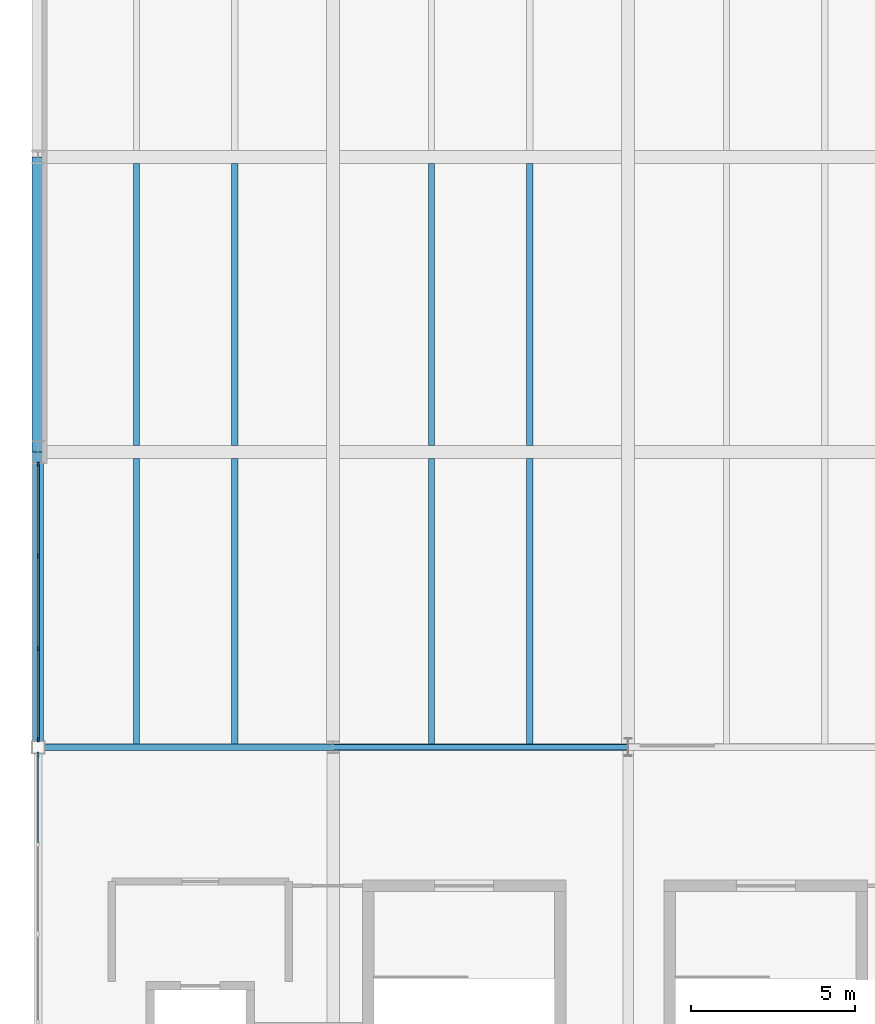
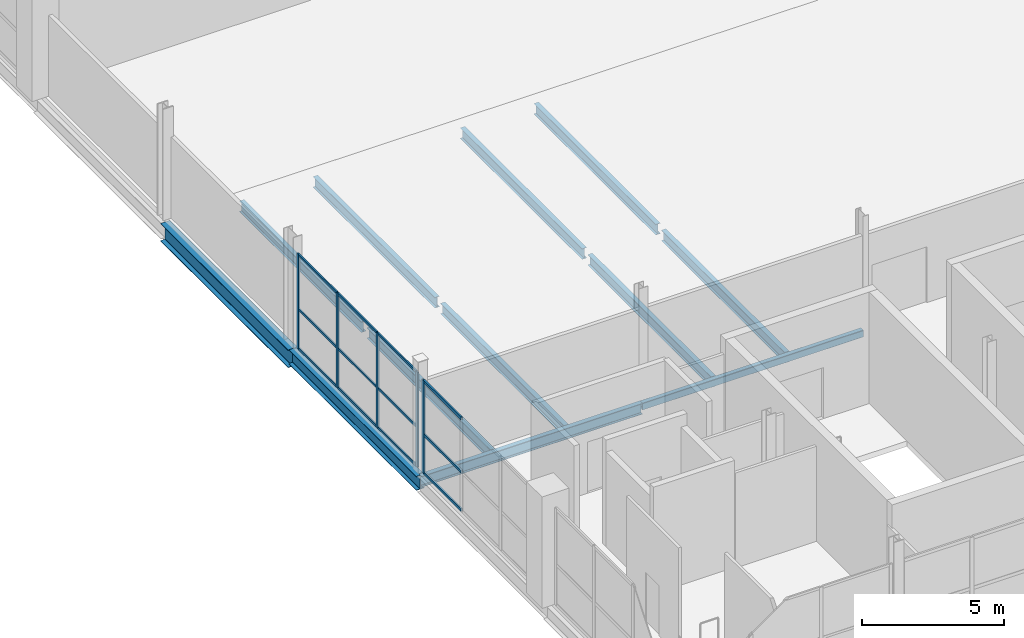
# One storey, part 8 of 29: 17 members, 12 beams, 2 elements without a shape of their own.
"""IFC4 building model written with IfcOpenShell, lengths in metres."""

from ifc_helpers import new_model, si_unit, direction, frame, origin, origin_2d, place, context, subcontext, project, spatial, rectangle, hollow_rectangle, i_section, extrude, material, layer, layer_set, material_profile, profile_set, type_object, element, aggregate, save


model = new_model("IFC4")

# Units and contexts
model_context = context("Model", 3, precision=1e-05, world=origin(), true_north=direction((0.0, 1.0)))
body_context = subcontext(model_context, "Body", "Model", "MODEL_VIEW")
ifc_project = project(units=[si_unit("LENGTHUNIT", "METRE"), si_unit("AREAUNIT", "SQUARE_METRE"), si_unit("VOLUMEUNIT", "CUBIC_METRE"), si_unit("PLANEANGLEUNIT", "RADIAN"), si_unit("MASSUNIT", "GRAM", prefix="KILO")], contexts=[model_context])

# Site, building, storey
site_placement = place(None, origin())
site = spatial("IfcSite", under=ifc_project, at=site_placement, CompositionType="ELEMENT")
building_placement = place(site_placement, origin())
building = spatial("IfcBuilding", under=site, at=building_placement, Name="Qamarlyn Nura Convention Centre", CompositionType="ELEMENT")
storey_placement = place(building_placement, frame((0.0, 0.0, 25.199951171875)))
storey = spatial("IfcBuildingStorey", under=building, at=storey_placement, Name="L05", CompositionType="ELEMENT", Elevation=25.199951171875)

# Beams
ifc_material_1 = material(Name="Steel ASTM A992", Category="steel")
ifc_material_profile_1 = material_profile(ifc_material_1, i_section(OverallWidth=0.323974609375, OverallDepth=0.611083984375, WebThickness=0.0126953125, FlangeThickness=0.01904296875, FilletRadius=0.01611328125, at=origin_2d()), Name="W610X155")
ifc_profile_set_1 = profile_set([ifc_material_profile_1], Name="Steel ASTM A992")
beam_type_1 = type_object("IfcBeamType", Name="BM-GIRD-610", PredefinedType="BEAM", material=ifc_profile_set_1)
beam_1_placement = place(storey_placement, frame((153.0, 18.0, -0.54541015625), z_axis=(0.0, 1.0, 0.0), x_axis=(-1.0, 0.0, 0.0)))
element("IfcBeam", 1, at=beam_1_placement, inside=storey, type_object=beam_type_1, Name="L05 girder 13 C-D", PredefinedType="BEAM", context=body_context, shape_type="SweptSolid", body=[
    extrude(i_section(OverallWidth=0.323974609375, OverallDepth=0.611083984375, WebThickness=0.0126953125, FlangeThickness=0.01904296875, FilletRadius=0.01611328125, at=origin_2d()), origin(), (0.0, 0.0, 1.0), 9.0),
])
ifc_material_profile_2 = material_profile(ifc_material_1, i_section(OverallWidth=0.381103515625, OverallDepth=0.77294921875, WebThickness=0.0166015625, FlangeThickness=0.027587890625, FilletRadius=0.02001953125, at=origin_2d()), Name="W760X257")
ifc_profile_set_2 = profile_set([ifc_material_profile_2], Name="Steel ASTM A992")
beam_type_2 = type_object("IfcBeamType", Name="BM-GIRD-760", PredefinedType="BEAM", material=ifc_profile_set_2)
beam_2_placement = place(storey_placement, frame((153.0, 27.0, -0.62646484375), z_axis=(0.0, 1.0, 0.0), x_axis=(-1.0, 0.0, 0.0)))
element("IfcBeam", 2, at=beam_2_placement, inside=storey, type_object=beam_type_2, Name="L05 girder 13 D-E", PredefinedType="BEAM", context=body_context, shape_type="SweptSolid", body=[
    extrude(i_section(OverallWidth=0.381103515625, OverallDepth=0.77294921875, WebThickness=0.0166015625, FlangeThickness=0.027587890625, FilletRadius=0.02001953125, at=origin_2d()), origin(), (0.0, 0.0, 1.0), 9.0),
])
ifc_material_profile_3 = material_profile(ifc_material_1, i_section(OverallWidth=0.18994140625, OverallDepth=0.45703125, WebThickness=0.009033203125, FlangeThickness=0.014404296875, FilletRadius=0.012939453125, at=origin_2d()), Name="W460X74")
ifc_profile_set_3 = profile_set([ifc_material_profile_3], Name="Steel ASTM A992")
beam_type_3 = type_object("IfcBeamType", Name="BM-JOIST-460", PredefinedType="JOIST", material=ifc_profile_set_3)
for number, where, z_axis, x_axis, name in (
    (3, (156.0, 18.096435546875, -0.468505859375), (0.0, 1.0, 0.0), (-1.0, 0.0, 0.0), "L05 secondary joist 13-14/C-D-01"),
    (4, (159.0, 18.096435546875, -0.468505859375), (0.0, 1.0, 0.0), (-1.0, 0.0, 0.0), "L05 secondary joist 13-14/C-D-02"),
):
    element("IfcBeam", number, at=place(storey_placement, frame(where, z_axis=z_axis, x_axis=x_axis)), inside=storey, type_object=beam_type_3, Name=name, PredefinedType="JOIST", context=body_context, shape_type="SweptSolid", body=[
        extrude(i_section(OverallWidth=0.18994140625, OverallDepth=0.45703125, WebThickness=0.009033203125, FlangeThickness=0.014404296875, FilletRadius=0.012939453125, at=origin_2d()), origin(), (0.0, 0.0, 1.0), 8.70361328125),
    ])
for number, where, z_axis, x_axis, name in (
    (5, (156.0, 27.199951171875, -0.468505859375), (0.0, 1.0, 0.0), (-1.0, 0.0, 0.0), "L05 secondary joist 13-14/D-E-03"),
    (6, (159.0, 27.199951171875, -0.468505859375), (0.0, 1.0, 0.0), (-1.0, 0.0, 0.0), "L05 secondary joist 13-14/D-E-04"),
):
    element("IfcBeam", number, at=place(storey_placement, frame(where, z_axis=z_axis, x_axis=x_axis)), inside=storey, type_object=beam_type_3, Name=name, PredefinedType="JOIST", context=body_context, shape_type="SweptSolid", body=[
        extrude(i_section(OverallWidth=0.18994140625, OverallDepth=0.45703125, WebThickness=0.009033203125, FlangeThickness=0.014404296875, FilletRadius=0.012939453125, at=origin_2d()), origin(), (0.0, 0.0, 1.0), 8.60009765625),
    ])
for number, where, z_axis, x_axis, name in (
    (7, (165.0, 18.10009765625, -0.468505859375), (0.0, 1.0, 0.0), (-1.0, 0.0, 0.0), "L05 secondary joist 14-15/C-D-09"),
    (8, (168.0, 18.10009765625, -0.468505859375), (0.0, 1.0, 0.0), (-1.0, 0.0, 0.0), "L05 secondary joist 14-15/C-D-10"),
):
    element("IfcBeam", number, at=place(storey_placement, frame(where, z_axis=z_axis, x_axis=x_axis)), inside=storey, type_object=beam_type_3, Name=name, PredefinedType="JOIST", context=body_context, shape_type="SweptSolid", body=[
        extrude(i_section(OverallWidth=0.18994140625, OverallDepth=0.45703125, WebThickness=0.009033203125, FlangeThickness=0.014404296875, FilletRadius=0.012939453125, at=origin_2d()), origin(), (0.0, 0.0, 1.0), 8.699951171875),
    ])
for number, where, z_axis, x_axis, name in (
    (9, (165.0, 27.199951171875, -0.468505859375), (0.0, 1.0, 0.0), (-1.0, 0.0, 0.0), "L05 secondary joist 14-15/D-E-11"),
    (10, (168.0, 27.199951171875, -0.468505859375), (0.0, 1.0, 0.0), (-1.0, 0.0, 0.0), "L05 secondary joist 14-15/D-E-12"),
):
    element("IfcBeam", number, at=place(storey_placement, frame(where, z_axis=z_axis, x_axis=x_axis)), inside=storey, type_object=beam_type_3, Name=name, PredefinedType="JOIST", context=body_context, shape_type="SweptSolid", body=[
        extrude(i_section(OverallWidth=0.18994140625, OverallDepth=0.45703125, WebThickness=0.009033203125, FlangeThickness=0.014404296875, FilletRadius=0.012939453125, at=origin_2d()), origin(), (0.0, 0.0, 1.0), 8.60009765625),
    ])
ifc_material_profile_4 = material_profile(ifc_material_1, i_section(OverallWidth=0.193115234375, OverallDepth=0.466064453125, WebThickness=0.011474609375, FlangeThickness=0.01904296875, FilletRadius=0.012939453125, at=origin_2d()), Name="W460X97")
ifc_profile_set_4 = profile_set([ifc_material_profile_4], Name="Steel ASTM A992")
beam_type_4 = type_object("IfcBeamType", Name="BM-SPAN-460", PredefinedType="SPANDREL", material=ifc_profile_set_4)
beam_3_placement = place(storey_placement, frame((153.0, 18.0, -0.472900390625), z_axis=(1.0, 0.0, 0.0), x_axis=(0.0, 1.0, 0.0)))
element("IfcBeam", 11, at=beam_3_placement, inside=storey, type_object=beam_type_4, Name="L05 girder C 13-14", PredefinedType="SPANDREL", context=body_context, shape_type="SweptSolid", body=[
    extrude(i_section(OverallWidth=0.193115234375, OverallDepth=0.466064453125, WebThickness=0.011474609375, FlangeThickness=0.01904296875, FilletRadius=0.012939453125, at=origin_2d()), origin(), (0.0, 0.0, 1.0), 9.0),
])
ifc_material_2 = material(Name="Steel ASTM A500 Grade C", Category="steel")
ifc_material_profile_5 = material_profile(ifc_material_2, hollow_rectangle(XDim=0.199951171875, YDim=0.300048828125, WallThickness=0.012451171875, InnerFilletRadius=0.012451171875, OuterFilletRadius=0.02490234375, at=origin_2d()), Name="HSS300X200X12.5")
ifc_profile_set_5 = profile_set([ifc_material_profile_5], Name="Steel ASTM A500 Grade C")
beam_type_5 = type_object("IfcBeamType", Name="BM-SPAN-HSS", PredefinedType="SPANDREL", material=ifc_profile_set_5)
beam_4_placement = place(storey_placement, frame((162.0, 18.0, -0.389892578125), z_axis=(1.0, 0.0, 0.0), x_axis=(0.0, 1.0, 0.0)))
element("IfcBeam", 12, at=beam_4_placement, inside=storey, type_object=beam_type_5, Name="L05 girder C 14-15", PredefinedType="SPANDREL", context=body_context, shape_type="SweptSolid", body=[
    extrude(hollow_rectangle(XDim=0.199951171875, YDim=0.300048828125, WallThickness=0.012451171875, InnerFilletRadius=0.012451171875, OuterFilletRadius=0.02490234375, at=origin_2d()), origin(), (0.0, 0.0, 1.0), 9.0),
])

# Curtain wall, members
ifc_material_3 = material(Name="Double-silver low-E insulated glass", Category="glass")
ifc_layer_1 = layer(ifc_material_3, 0.179931640625, Name="CW-UNIT-135")
ifc_layer_set_1 = layer_set([ifc_layer_1], Name="Double-silver low-E insulated glass")
curtain_wall_type_1 = type_object("IfcCurtainWallType", Name="CW-UNIT-135", PredefinedType="NOTDEFINED", material=ifc_layer_set_1)
curtain_wall_1_placement = place(storey_placement, origin())
curtain_wall_1 = element("IfcCurtainWall", 13, at=curtain_wall_1_placement, inside=storey, type_object=curtain_wall_type_1, Name="L05 unitised curtain wall FCW-18-1", PredefinedType="NOTDEFINED")
ifc_material_4 = material(Name="Champagne-anodised marine aluminium", Category="aluminium")
ifc_material_profile_6 = material_profile(ifc_material_4, rectangle(XDim=0.06005859375, YDim=0.139892578125, at=origin_2d()), Name="ALU MULLION 60x140")
ifc_profile_set_6 = profile_set([ifc_material_profile_6], Name="Champagne-anodised marine aluminium")
member_type_1 = type_object("IfcMemberType", Name="CWM-140", PredefinedType="MULLION", material=ifc_profile_set_6)
member_1_placement = place(storey_placement, frame((153.0, 18.22998046875, 0.0), z_axis=(0.0, 0.0, 1.0), x_axis=(-1.0, 0.0, 0.0)))
member_1 = element("IfcMember", 14, at=member_1_placement, type_object=member_type_1, Name="CW135 mullion 1", PredefinedType="MULLION", context=body_context, shape_type="SweptSolid", body=[
    extrude(rectangle(XDim=0.06005859375, YDim=0.139892578125, at=origin_2d()), origin(), (0.0, 0.0, 1.0), 4.090087890625),
])
member_2_placement = place(storey_placement, frame((153.0, 21.017578125, 0.0), z_axis=(0.0, 0.0, 1.0), x_axis=(-1.0, 0.0, 0.0)))
member_2 = element("IfcMember", 15, at=member_2_placement, type_object=member_type_1, Name="CW135 mullion 2", PredefinedType="MULLION", context=body_context, shape_type="SweptSolid", body=[
    extrude(rectangle(XDim=0.06005859375, YDim=0.139892578125, at=origin_2d()), origin(), (0.0, 0.0, 1.0), 4.090087890625),
])
member_3_placement = place(storey_placement, frame((153.0, 23.8349609375, 0.0), z_axis=(0.0, 0.0, 1.0), x_axis=(-1.0, 0.0, 0.0)))
member_3 = element("IfcMember", 16, at=member_3_placement, type_object=member_type_1, Name="CW135 mullion 3", PredefinedType="MULLION", context=body_context, shape_type="SweptSolid", body=[
    extrude(rectangle(XDim=0.06005859375, YDim=0.139892578125, at=origin_2d()), origin(), (0.0, 0.0, 1.0), 4.090087890625),
])
member_4_placement = place(storey_placement, frame((153.0, 26.62255859375, 0.0), z_axis=(0.0, 0.0, 1.0), x_axis=(-1.0, 0.0, 0.0)))
member_4 = element("IfcMember", 17, at=member_4_placement, type_object=member_type_1, Name="CW135 mullion 4", PredefinedType="MULLION", context=body_context, shape_type="SweptSolid", body=[
    extrude(rectangle(XDim=0.06005859375, YDim=0.139892578125, at=origin_2d()), origin(), (0.0, 0.0, 1.0), 4.090087890625),
])

# Curtain wall, member
ifc_layer_2 = layer(ifc_material_3, 0.179931640625, Name="CW-UNIT-160")
ifc_layer_set_2 = layer_set([ifc_layer_2], Name="Double-silver low-E insulated glass")
curtain_wall_type_2 = type_object("IfcCurtainWallType", Name="CW-UNIT-160", PredefinedType="NOTDEFINED", material=ifc_layer_set_2)
curtain_wall_2_placement = place(storey_placement, origin())
curtain_wall_2 = element("IfcCurtainWall", 18, at=curtain_wall_2_placement, inside=storey, type_object=curtain_wall_type_2, Name="L05 unitised curtain wall FCW-9-1", PredefinedType="NOTDEFINED")
ifc_material_profile_7 = material_profile(ifc_material_4, rectangle(XDim=0.06494140625, YDim=0.159912109375, at=origin_2d()), Name="ALU MULLION 65x160")
ifc_profile_set_7 = profile_set([ifc_material_profile_7], Name="Champagne-anodised marine aluminium")
member_type_2 = type_object("IfcMemberType", Name="CWM-160", PredefinedType="MULLION", material=ifc_profile_set_7)
member_5_placement = place(storey_placement, frame((153.0, 17.767578125, 0.0), z_axis=(0.0, 0.0, 1.0), x_axis=(-1.0, 0.0, 0.0)))
member_5 = element("IfcMember", 19, at=member_5_placement, type_object=member_type_2, Name="CW160 mullion 4", PredefinedType="MULLION", context=body_context, shape_type="SweptSolid", body=[
    extrude(rectangle(XDim=0.06494140625, YDim=0.159912109375, at=origin_2d()), origin(), (0.0, 0.0, 1.0), 4.011962890625),
])

# Member
ifc_material_profile_8 = material_profile(ifc_material_4, rectangle(XDim=0.06005859375, YDim=0.10009765625, at=origin_2d()), Name="ALU TRANSOM 60x100")
ifc_profile_set_8 = profile_set([ifc_material_profile_8], Name="Champagne-anodised marine aluminium")
member_type_3 = type_object("IfcMemberType", Name="CWT-100", PredefinedType="USERDEFINED", material=ifc_profile_set_8)
member_6_placement = place(storey_placement, frame((153.0, 18.260009765625, 0.030029296875), z_axis=(0.0, 1.0, 0.0), x_axis=(-1.0, 0.0, 0.0)))
member_6 = element("IfcMember", 20, at=member_6_placement, type_object=member_type_3, Name="CW135 transom 1.1", ObjectType="TRANSOM", PredefinedType="USERDEFINED", context=body_context, shape_type="SweptSolid", body=[
    extrude(rectangle(XDim=0.06005859375, YDim=0.10009765625, at=origin_2d()), origin(), (0.0, 0.0, 1.0), 2.7275390625),
])

member_7_placement = place(storey_placement, frame((153.0, 18.260009765625, 1.718017578125), z_axis=(0.0, 1.0, 0.0), x_axis=(-1.0, 0.0, 0.0)))
member_7 = element("IfcMember", 21, at=member_7_placement, type_object=member_type_3, Name="CW135 transom 1.2", ObjectType="TRANSOM", PredefinedType="USERDEFINED", context=body_context, shape_type="SweptSolid", body=[
    extrude(rectangle(XDim=0.06005859375, YDim=0.10009765625, at=origin_2d()), origin(), (0.0, 0.0, 1.0), 2.7275390625),
])

member_8_placement = place(storey_placement, frame((153.0, 18.260009765625, 4.06005859375), z_axis=(0.0, 1.0, 0.0), x_axis=(-1.0, 0.0, 0.0)))
member_8 = element("IfcMember", 22, at=member_8_placement, type_object=member_type_3, Name="CW135 transom 1.3", ObjectType="TRANSOM", PredefinedType="USERDEFINED", context=body_context, shape_type="SweptSolid", body=[
    extrude(rectangle(XDim=0.06005859375, YDim=0.10009765625, at=origin_2d()), origin(), (0.0, 0.0, 1.0), 2.7275390625),
])

member_9_placement = place(storey_placement, frame((153.0, 21.047607421875, 0.030029296875), z_axis=(0.0, 1.0, 0.0), x_axis=(-1.0, 0.0, 0.0)))
member_9 = element("IfcMember", 23, at=member_9_placement, type_object=member_type_3, Name="CW135 transom 2.1", ObjectType="TRANSOM", PredefinedType="USERDEFINED", context=body_context, shape_type="SweptSolid", body=[
    extrude(rectangle(XDim=0.06005859375, YDim=0.10009765625, at=origin_2d()), origin(), (0.0, 0.0, 1.0), 2.75732421875),
])

member_10_placement = place(storey_placement, frame((153.0, 21.047607421875, 1.718017578125), z_axis=(0.0, 1.0, 0.0), x_axis=(-1.0, 0.0, 0.0)))
member_10 = element("IfcMember", 24, at=member_10_placement, type_object=member_type_3, Name="CW135 transom 2.2", ObjectType="TRANSOM", PredefinedType="USERDEFINED", context=body_context, shape_type="SweptSolid", body=[
    extrude(rectangle(XDim=0.06005859375, YDim=0.10009765625, at=origin_2d()), origin(), (0.0, 0.0, 1.0), 2.75732421875),
])

member_11_placement = place(storey_placement, frame((153.0, 21.047607421875, 4.06005859375), z_axis=(0.0, 1.0, 0.0), x_axis=(-1.0, 0.0, 0.0)))
member_11 = element("IfcMember", 25, at=member_11_placement, type_object=member_type_3, Name="CW135 transom 2.3", ObjectType="TRANSOM", PredefinedType="USERDEFINED", context=body_context, shape_type="SweptSolid", body=[
    extrude(rectangle(XDim=0.06005859375, YDim=0.10009765625, at=origin_2d()), origin(), (0.0, 0.0, 1.0), 2.75732421875),
])

member_12_placement = place(storey_placement, frame((153.0, 23.864990234375, 0.030029296875), z_axis=(0.0, 1.0, 0.0), x_axis=(-1.0, 0.0, 0.0)))
member_12 = element("IfcMember", 26, at=member_12_placement, type_object=member_type_3, Name="CW135 transom 3.1", ObjectType="TRANSOM", PredefinedType="USERDEFINED", context=body_context, shape_type="SweptSolid", body=[
    extrude(rectangle(XDim=0.06005859375, YDim=0.10009765625, at=origin_2d()), origin(), (0.0, 0.0, 1.0), 2.7275390625),
])

member_13_placement = place(storey_placement, frame((153.0, 23.864990234375, 1.718017578125), z_axis=(0.0, 1.0, 0.0), x_axis=(-1.0, 0.0, 0.0)))
member_13 = element("IfcMember", 27, at=member_13_placement, type_object=member_type_3, Name="CW135 transom 3.2", ObjectType="TRANSOM", PredefinedType="USERDEFINED", context=body_context, shape_type="SweptSolid", body=[
    extrude(rectangle(XDim=0.06005859375, YDim=0.10009765625, at=origin_2d()), origin(), (0.0, 0.0, 1.0), 2.7275390625),
])

member_14_placement = place(storey_placement, frame((153.0, 23.864990234375, 4.06005859375), z_axis=(0.0, 1.0, 0.0), x_axis=(-1.0, 0.0, 0.0)))
member_14 = element("IfcMember", 28, at=member_14_placement, type_object=member_type_3, Name="CW135 transom 3.3", ObjectType="TRANSOM", PredefinedType="USERDEFINED", context=body_context, shape_type="SweptSolid", body=[
    extrude(rectangle(XDim=0.06005859375, YDim=0.10009765625, at=origin_2d()), origin(), (0.0, 0.0, 1.0), 2.7275390625),
])

aggregate(curtain_wall_1, [member_1, member_2, member_3, member_4, member_6, member_7, member_8, member_9, member_10, member_11, member_12, member_13, member_14])

ifc_material_profile_9 = material_profile(ifc_material_4, rectangle(XDim=0.06494140625, YDim=0.1201171875, at=origin_2d()), Name="ALU TRANSOM 65x120")
ifc_profile_set_9 = profile_set([ifc_material_profile_9], Name="Champagne-anodised marine aluminium")
member_type_4 = type_object("IfcMemberType", Name="CWT-120", PredefinedType="USERDEFINED", material=ifc_profile_set_9)
member_15_placement = place(storey_placement, frame((153.0, 15.08251953125, 0.032470703125), z_axis=(0.0, 1.0, 0.0), x_axis=(-1.0, 0.0, 0.0)))
member_15 = element("IfcMember", 29, at=member_15_placement, type_object=member_type_4, Name="CW160 transom 3.1", ObjectType="TRANSOM", PredefinedType="USERDEFINED", context=body_context, shape_type="SweptSolid", body=[
    extrude(rectangle(XDim=0.06494140625, YDim=0.1201171875, at=origin_2d()), origin(), (0.0, 0.0, 1.0), 2.652587890625),
])

member_16_placement = place(storey_placement, frame((153.0, 15.08251953125, 1.68505859375), z_axis=(0.0, 1.0, 0.0), x_axis=(-1.0, 0.0, 0.0)))
member_16 = element("IfcMember", 30, at=member_16_placement, type_object=member_type_4, Name="CW160 transom 3.2", ObjectType="TRANSOM", PredefinedType="USERDEFINED", context=body_context, shape_type="SweptSolid", body=[
    extrude(rectangle(XDim=0.06494140625, YDim=0.1201171875, at=origin_2d()), origin(), (0.0, 0.0, 1.0), 2.652587890625),
])

member_17_placement = place(storey_placement, frame((153.0, 15.08251953125, 3.9794921875), z_axis=(0.0, 1.0, 0.0), x_axis=(-1.0, 0.0, 0.0)))
member_17 = element("IfcMember", 31, at=member_17_placement, type_object=member_type_4, Name="CW160 transom 3.3", ObjectType="TRANSOM", PredefinedType="USERDEFINED", context=body_context, shape_type="SweptSolid", body=[
    extrude(rectangle(XDim=0.06494140625, YDim=0.1201171875, at=origin_2d()), origin(), (0.0, 0.0, 1.0), 2.652587890625),
])

aggregate(curtain_wall_2, [member_5, member_15, member_16, member_17])

save(model, "model.ifc")
